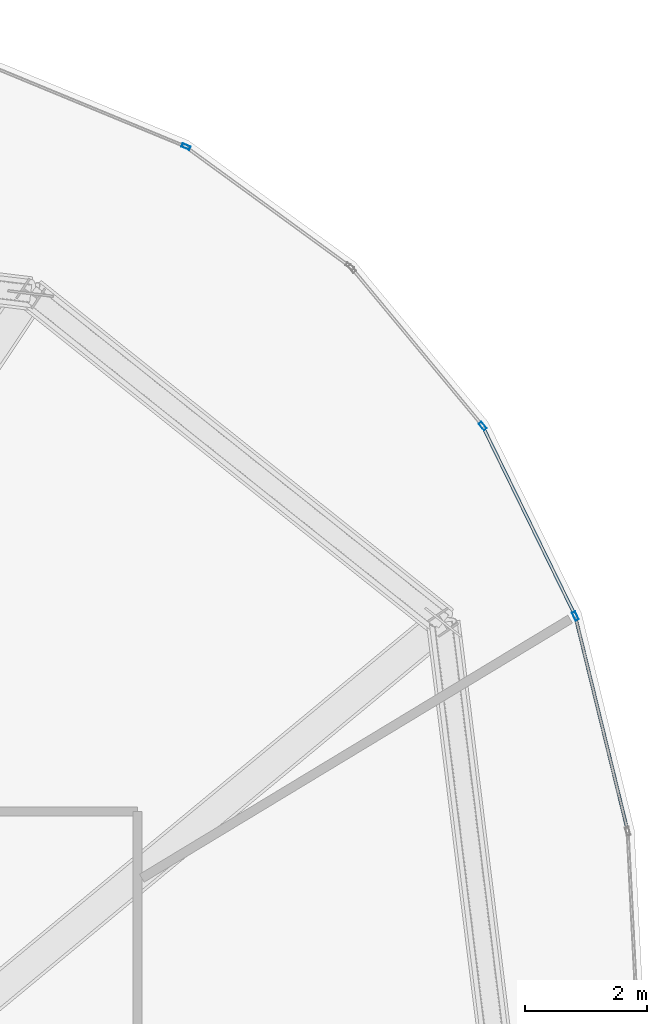
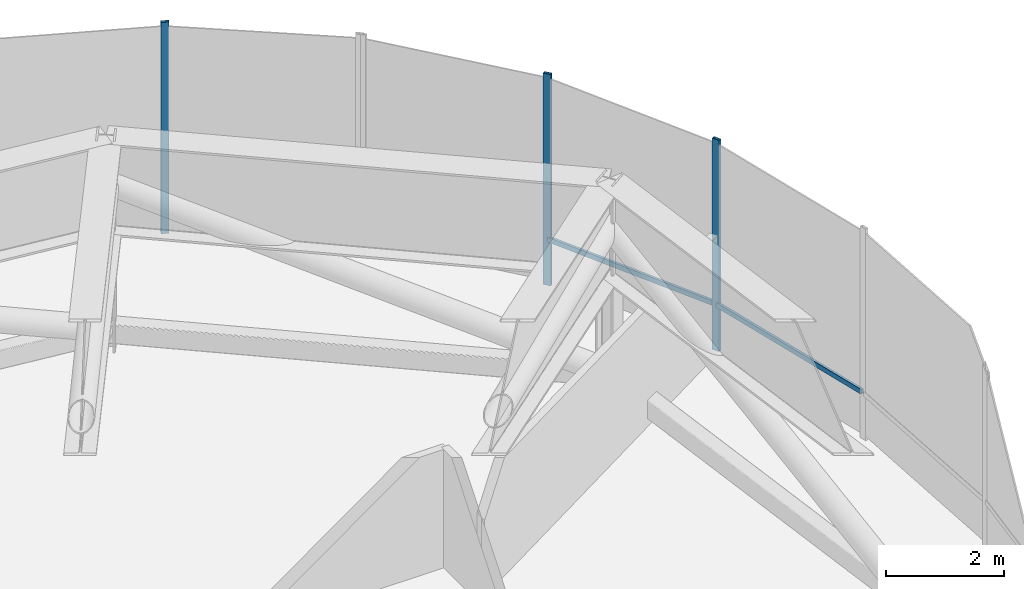
# One storey, part 20 of 26: 5 members, 2 elements without a shape of their own.
"""IFC4 building model written with IfcOpenShell, lengths in metres."""

from ifc_helpers import new_model, si_unit, direction, frame, origin, origin_2d, place, context, subcontext, project, spatial, hollow_rectangle, extrude, source, transform, mapped, material, layer, layer_set, material_profile, profile_set, type_object, element, aggregate, save


model = new_model("IFC4")

# Units and contexts
model_context = context("Model", 3, precision=1e-05, world=origin(), true_north=direction((0.0, 1.0)))
body_context = subcontext(model_context, "Body", "Model", "MODEL_VIEW")
ifc_project = project(units=[si_unit("LENGTHUNIT", "METRE"), si_unit("AREAUNIT", "SQUARE_METRE"), si_unit("VOLUMEUNIT", "CUBIC_METRE"), si_unit("PLANEANGLEUNIT", "RADIAN"), si_unit("MASSUNIT", "GRAM", prefix="KILO"), si_unit("THERMODYNAMICTEMPERATUREUNIT", "KELVIN")], contexts=[model_context])

# Site, building, storey
site_placement = place(None, origin())
site = spatial("IfcSite", under=ifc_project, at=site_placement, CompositionType="ELEMENT")
building_placement = place(site_placement, origin())
building = spatial("IfcBuilding", under=site, at=building_placement, Name="Kethvar Cultural Tower", CompositionType="ELEMENT")
storey_placement = place(building_placement, frame((0.0, 0.0, 223.60009765625)))
storey = spatial("IfcBuildingStorey", under=building, at=storey_placement, Name="L58", CompositionType="ELEMENT", Elevation=223.60009765625)

# Curtain wall, member
ifc_material = material(Name="Aluminium 6063-T6", Category="aluminium")
ifc_layer = layer(ifc_material, 0.179931640625, Name="Aluminium 6063-T6", Category="aluminium")
ifc_layer_set = layer_set([ifc_layer], Name="Aluminium 6063-T6 (180 mm)")
curtain_wall_type = type_object("IfcCurtainWallType", Name="CW-SYS-04-Z34", PredefinedType="NOTDEFINED", material=ifc_layer_set)
curtain_wall_1_placement = place(storey_placement, origin())
curtain_wall_1 = element("IfcCurtainWall", 1, at=curtain_wall_1_placement, inside=storey, type_object=curtain_wall_type, Name="L58 Curtain Wall Run 01", PredefinedType="NOTDEFINED")
ifc_material_profile_1 = material_profile(ifc_material, hollow_rectangle(XDim=0.06005859375, YDim=0.139892578125, WallThickness=0.0048828125, at=origin_2d()), Name="Aluminium 6063-T6 — RHS140x60x5")
ifc_profile_set_1 = profile_set([ifc_material_profile_1], Name="Aluminium 6063-T6 — RHS140x60x5")
member_type_1 = type_object("IfcMemberType", Name="CW-SYS-04-Z34-MUL", PredefinedType="MULLION", material=ifc_profile_set_1)
shared_shape_1 = source(origin(), body_context, "Body", "SweptSolid", [
    extrude(hollow_rectangle(XDim=0.06005859375, YDim=0.139892578125, WallThickness=0.0048828125, at=origin_2d()), origin(), (0.0, 0.0, 1.0), 4.3798828125),
])
member_1_placement = place(storey_placement, frame((61.2900390625, 48.087158203125, 0.0), z_axis=(0.0, 0.0, 1.0), x_axis=(-0.381699606545, -0.924286433073, 0.0)))
member_1 = element("IfcMember", 2, at=member_1_placement, type_object=member_type_1, Name="CW-L58-R01 Mullion 2", PredefinedType="MULLION", context=body_context, shape_type="MappedRepresentation", body=[
    mapped(shared_shape_1, transform((0.0, 0.0, 0.0), scale=1.0)),
])
aggregate(curtain_wall_1, [member_1])

# Curtain wall, members
curtain_wall_2_placement = place(storey_placement, origin())
curtain_wall_2 = element("IfcCurtainWall", 3, at=curtain_wall_2_placement, inside=storey, type_object=curtain_wall_type, Name="L58 Curtain Wall Run 06", PredefinedType="NOTDEFINED")
member_2_placement = place(storey_placement, frame((67.66845703125, 40.401123046875, 0.0), z_axis=(0.0, 0.0, 1.0), x_axis=(-0.898495448332, -0.438982834889, 0.0)))
member_2 = element("IfcMember", 4, at=member_2_placement, type_object=member_type_1, Name="CW-L58-R06 Mullion 5", PredefinedType="MULLION", context=body_context, shape_type="MappedRepresentation", body=[
    mapped(shared_shape_1, transform((0.0, 0.0, 0.0), scale=1.0)),
])
member_3_placement = place(storey_placement, frame((66.151611328125, 43.51318359375, 0.0), z_axis=(0.0, 0.0, 1.0), x_axis=(-0.769410703531, -0.638754388863, 0.0)))
member_3 = element("IfcMember", 5, at=member_3_placement, type_object=member_type_1, Name="CW-L58-R06 Mullion 6", PredefinedType="MULLION", context=body_context, shape_type="MappedRepresentation", body=[
    mapped(shared_shape_1, transform((0.0, 0.0, 0.0), scale=1.0)),
])
ifc_material_profile_2 = material_profile(ifc_material, hollow_rectangle(XDim=0.050048828125, YDim=0.10009765625, WallThickness=0.00390625, at=origin_2d()), Name="Aluminium 6063-T6 — RHS100x50x4")
ifc_profile_set_2 = profile_set([ifc_material_profile_2], Name="Aluminium 6063-T6 — RHS100x50x4")
member_type_2 = type_object("IfcMemberType", Name="CW-SYS-04-Z34-TRN", PredefinedType="USERDEFINED", material=ifc_profile_set_2)
shared_shape_2 = source(origin(), body_context, "Body", "SweptSolid", [
    extrude(hollow_rectangle(XDim=0.050048828125, YDim=0.10009765625, WallThickness=0.00390625, at=origin_2d()), origin(), (0.0, 0.0, 1.0), 3.401611328125),
])
member_4_placement = place(storey_placement, frame((67.6494140625, 40.43994140625, 0.949951171875), z_axis=(-0.438955237825, 0.898508931055, 0.0), x_axis=(-0.898508931055, -0.438955237825, 0.0)))
member_4 = element("IfcMember", 6, at=member_4_placement, type_object=member_type_2, Name="CW-L58-R06 Transom 5", ObjectType="TRANSOM", PredefinedType="USERDEFINED", context=body_context, shape_type="MappedRepresentation", body=[
    mapped(shared_shape_2, transform((0.0, 0.0, 0.0), scale=1.0)),
])
shared_shape_3 = source(origin(), body_context, "Body", "SweptSolid", [
    extrude(hollow_rectangle(XDim=0.050048828125, YDim=0.10009765625, WallThickness=0.00390625, at=origin_2d()), origin(), (0.0, 0.0, 1.0), 3.56591796875),
])
member_5_placement = place(storey_placement, frame((68.516357421875, 36.917236328125, 0.949951171875), z_axis=(-0.237167378429, 0.971468802695, 0.0), x_axis=(-0.971468802695, -0.237167378429, 0.0)))
member_5 = element("IfcMember", 7, at=member_5_placement, type_object=member_type_2, Name="CW-L58-R06 Transom 4", ObjectType="TRANSOM", PredefinedType="USERDEFINED", context=body_context, shape_type="MappedRepresentation", body=[
    mapped(shared_shape_3, transform((0.0, 0.0, 0.0), scale=1.0)),
])
aggregate(curtain_wall_2, [member_2, member_3, member_5, member_4])

save(model, "model.ifc")
